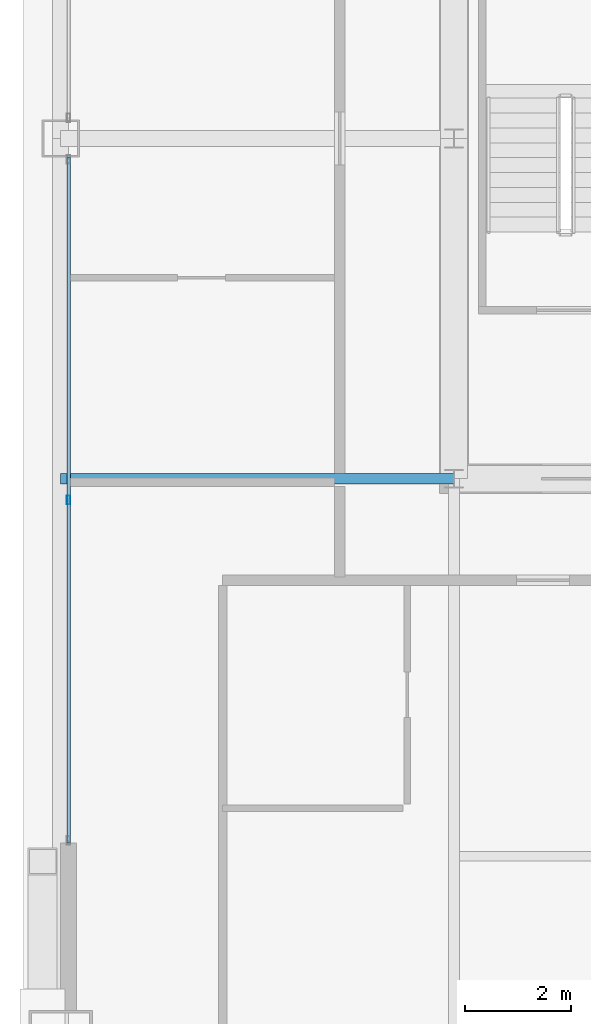
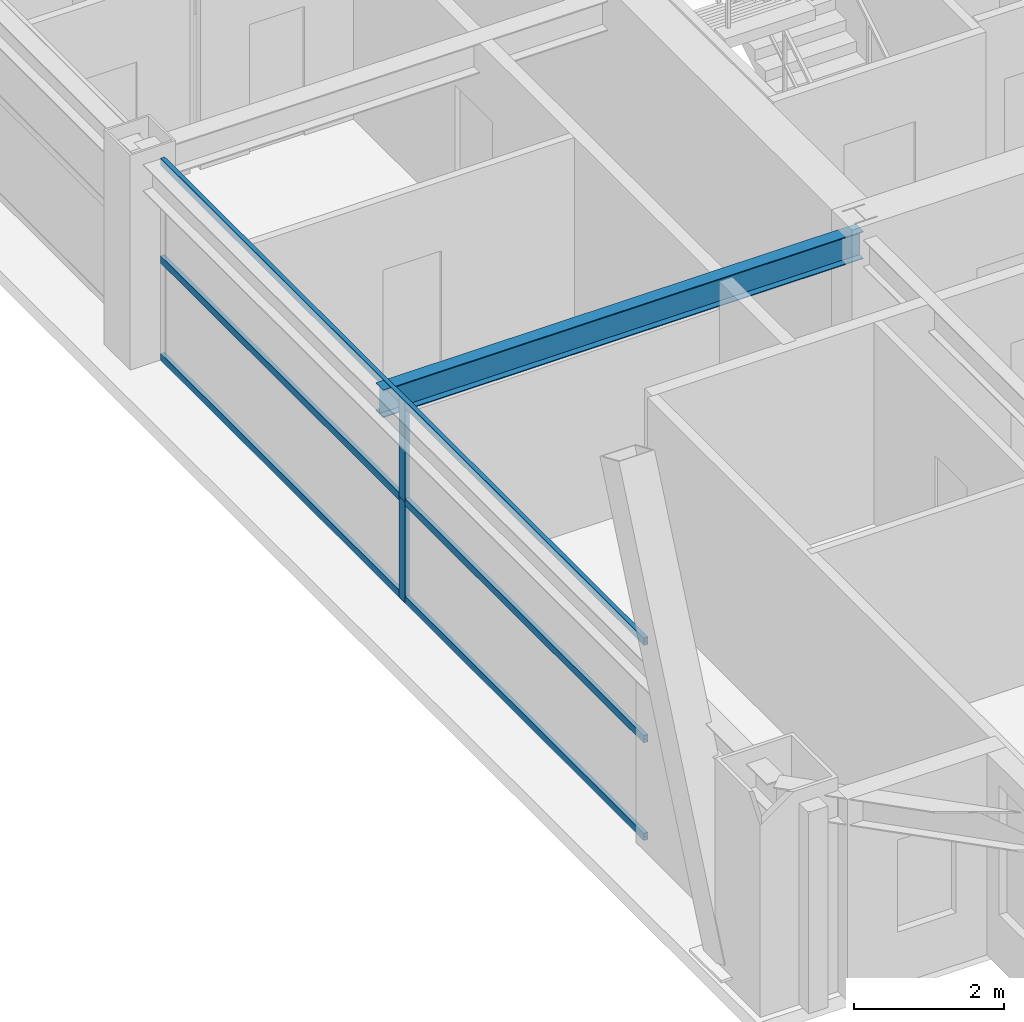
# One storey, part 8 of 35: 5 members, 1 beam, 1 element without a shape of its own.
"""IFC4 building model written with IfcOpenShell, lengths in metres."""

from ifc_helpers import new_model, si_unit, direction, frame, origin, origin_2d, place, context, subcontext, project, spatial, hollow_rectangle, i_section, extrude, source, transform, mapped, material, layer, layer_set, material_profile, profile_set, type_object, element, aggregate, save


model = new_model("IFC4")

# Units and contexts
model_context = context("Model", 3, precision=1e-05, world=origin(), true_north=direction((0.0, 1.0)))
body_context = subcontext(model_context, "Body", "Model", "MODEL_VIEW")
ifc_project = project(units=[si_unit("LENGTHUNIT", "METRE"), si_unit("AREAUNIT", "SQUARE_METRE"), si_unit("VOLUMEUNIT", "CUBIC_METRE"), si_unit("PLANEANGLEUNIT", "RADIAN"), si_unit("MASSUNIT", "GRAM", prefix="KILO"), si_unit("THERMODYNAMICTEMPERATUREUNIT", "KELVIN"), si_unit("POWERUNIT", "WATT")], contexts=[model_context])

# Site, building, storey
site_placement = place(None, origin())
site = spatial("IfcSite", under=ifc_project, at=site_placement, CompositionType="ELEMENT")
building_placement = place(site_placement, origin())
building = spatial("IfcBuilding", under=site, at=building_placement, Name="Yuzanri Waterfront Tower", CompositionType="ELEMENT")
storey_placement = place(building_placement, frame((0.0, 0.0, 271.60009765625)))
storey = spatial("IfcBuildingStorey", under=building, at=storey_placement, Name="L72", CompositionType="ELEMENT", Elevation=271.60009765625)

# Beam
ifc_material_1 = material(Name="Steel Q355B", Category="steel")
ifc_material_profile_1 = material_profile(ifc_material_1, i_section(OverallWidth=0.199951171875, OverallDepth=0.449951171875, WebThickness=0.009033203125, FlangeThickness=0.013916015625, at=origin_2d()), Name="HN 450x200x9x14")
ifc_profile_set_1 = profile_set([ifc_material_profile_1], Name="Steel Q355B")
beam_type = type_object("IfcBeamType", Name="Secondary Floor Beam Q355B HN 450x200", PredefinedType="BEAM", material=ifc_profile_set_1)
shared_shape_1 = source(origin(), body_context, "Body", "SweptSolid", [
    extrude(i_section(OverallWidth=0.199951171875, OverallDepth=0.449951171875, WebThickness=0.009033203125, FlangeThickness=0.013916015625, at=origin_2d()), origin(), (0.0, 0.0, 1.0), 7.400146484375),
])
beam_placement = place(storey_placement, frame((23.800048828125, 19.39990234375, 3.054931640625), z_axis=(-1.0, 0.0, 0.0), x_axis=(0.0, -1.0, 0.0)))
element("IfcBeam", 1, at=beam_placement, inside=storey, type_object=beam_type, Name="L72 West-South Core Line Beam", PredefinedType="BEAM", context=body_context, shape_type="MappedRepresentation", body=[
    mapped(shared_shape_1, transform((0.0, 0.0, 0.0), scale=1.0)),
])

# Curtain wall, members
ifc_material_2 = material(Name="Anodized Architectural Bronze", Category="metal")
ifc_layer = layer(ifc_material_2, 0.159912109375)
ifc_layer_set = layer_set([ifc_layer], Name="Anodized Architectural Bronze")
curtain_wall_type = type_object("IfcCurtainWallType", Name="Anodized Bronze Mid-Rise Residential Acoustic Unitized Curtain Wall 7200", PredefinedType="NOTDEFINED", material=ifc_layer_set)
curtain_wall_placement = place(storey_placement, origin())
curtain_wall = element("IfcCurtainWall", 2, at=curtain_wall_placement, inside=storey, type_object=curtain_wall_type, Name="L72 Curtain Wall CW-L72-WL", PredefinedType="NOTDEFINED")
ifc_material_3 = material(Name="Anodized Architectural Bronze", Category="metal")
ifc_material_profile_2 = material_profile(ifc_material_3, hollow_rectangle(XDim=0.06494140625, YDim=0.159912109375, WallThickness=0.00341796875, at=origin_2d()), Name="CWM 65x160")
ifc_profile_set_2 = profile_set([ifc_material_profile_2], Name="Anodized Architectural Bronze")
member_type_1 = type_object("IfcMemberType", Name="Anodized Bronze Upper-Zone Curtain-Wall Mullion 65x160", PredefinedType="MULLION", material=ifc_profile_set_2)
shared_shape_2 = source(origin(), body_context, "Body", "SweptSolid", [
    extrude(hollow_rectangle(XDim=0.06494140625, YDim=0.159912109375, WallThickness=0.00341796875, at=origin_2d()), origin(), (0.0, 0.0, 1.0), 1.637939453125),
])
member_1_placement = place(storey_placement, frame((16.550048828125, 19.0, 0.0), z_axis=(0.0, 0.0, 1.0), x_axis=(1.0, 0.0, 0.0)))
member_1 = element("IfcMember", 3, at=member_1_placement, type_object=member_type_1, Name="CW-L72-WL Lower Mullion 01", PredefinedType="MULLION", context=body_context, shape_type="MappedRepresentation", body=[
    mapped(shared_shape_2, transform((0.0, 0.0, 0.0), scale=1.0)),
])
member_2_placement = place(storey_placement, frame((16.550048828125, 19.0, 1.641845703125), z_axis=(0.0, 0.0, 1.0), x_axis=(1.0, 0.0, 0.0)))
member_2 = element("IfcMember", 4, at=member_2_placement, type_object=member_type_1, Name="CW-L72-WL Upper Mullion 01", PredefinedType="MULLION", context=body_context, shape_type="MappedRepresentation", body=[
    mapped(shared_shape_2, transform((0.0, 0.0, 0.0), scale=1.0)),
])
ifc_material_4 = material(Name="Anodized Architectural Bronze", Category="metal")
ifc_material_profile_3 = material_profile(ifc_material_4, hollow_rectangle(XDim=0.06494140625, YDim=0.1201171875, WallThickness=0.00341796875, at=origin_2d()), Name="CWT 65x120")
ifc_profile_set_3 = profile_set([ifc_material_profile_3], Name="Anodized Architectural Bronze")
member_type_2 = type_object("IfcMemberType", Name="Anodized Bronze Secondary Curtain-Wall Transom 65x120", PredefinedType="USERDEFINED", material=ifc_profile_set_3)
shared_shape_3 = source(origin(), body_context, "Body", "SweptSolid", [
    extrude(hollow_rectangle(XDim=0.06494140625, YDim=0.1201171875, WallThickness=0.00341796875, at=origin_2d()), origin(), (0.0, 0.0, 1.0), 12.89990234375),
])
member_3_placement = place(storey_placement, frame((16.550048828125, 12.550048828125, 0.0498046875), z_axis=(0.0, 1.0, 0.0), x_axis=(-1.0, 0.0, 0.0)))
member_3 = element("IfcMember", 5, at=member_3_placement, type_object=member_type_2, Name="CW-L72-WL Transom 1", ObjectType="TRANSOM", PredefinedType="USERDEFINED", context=body_context, shape_type="MappedRepresentation", body=[
    mapped(shared_shape_3, transform((0.0, 0.0, 0.0), scale=1.0)),
])
member_4_placement = place(storey_placement, frame((16.550048828125, 12.550048828125, 1.639892578125), z_axis=(0.0, 1.0, 0.0), x_axis=(-1.0, 0.0, 0.0)))
member_4 = element("IfcMember", 6, at=member_4_placement, type_object=member_type_2, Name="CW-L72-WL Transom 2", ObjectType="TRANSOM", PredefinedType="USERDEFINED", context=body_context, shape_type="MappedRepresentation", body=[
    mapped(shared_shape_3, transform((0.0, 0.0, 0.0), scale=1.0)),
])
member_5_placement = place(storey_placement, frame((16.550048828125, 12.550048828125, 3.22998046875), z_axis=(0.0, 1.0, 0.0), x_axis=(-1.0, 0.0, 0.0)))
member_5 = element("IfcMember", 7, at=member_5_placement, type_object=member_type_2, Name="CW-L72-WL Transom 3", ObjectType="TRANSOM", PredefinedType="USERDEFINED", context=body_context, shape_type="MappedRepresentation", body=[
    mapped(shared_shape_3, transform((0.0, 0.0, 0.0), scale=1.0)),
])
aggregate(curtain_wall, [member_1, member_2, member_3, member_4, member_5])

save(model, "model.ifc")
